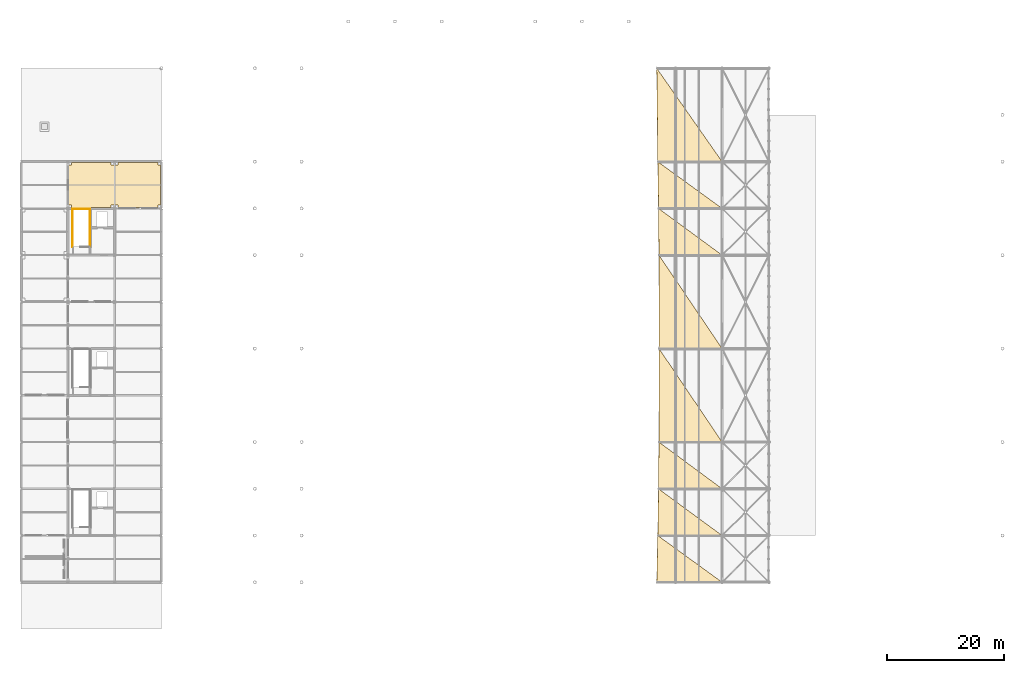
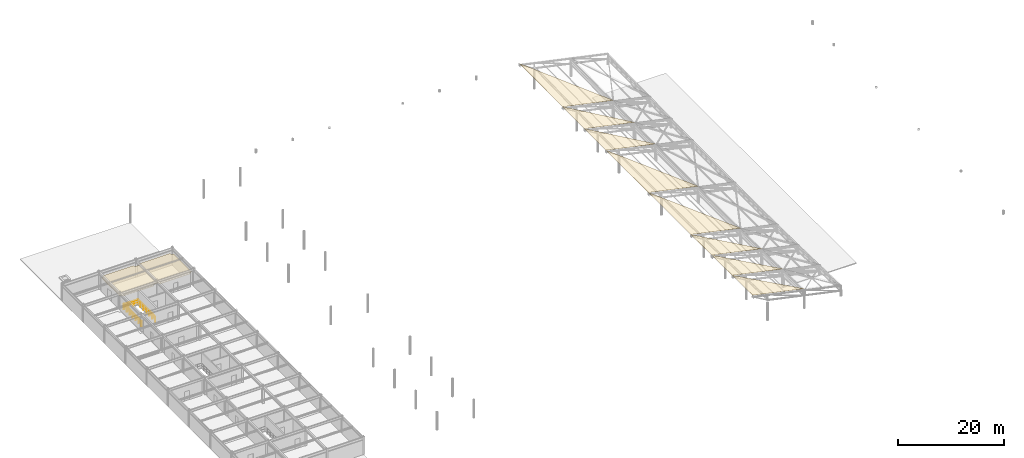
# One storey, part 41 of 41: 9 coverings, 3 railings, 1 element without a shape of its own.
"""IFC4 building model written with IfcOpenShell, lengths in metres."""

from ifc_helpers import new_model, si_unit, direction, frame, origin, origin_2d, place, context, subcontext, project, spatial, polyline, circle, outline, extrude, material, layer, layer_set, type_object, element, aggregate, save


model = new_model("IFC4")

# Units and contexts
model_context = context("Model", 3, precision=1e-05, world=origin(), true_north=direction((0.0, 1.0)))
body_context = subcontext(model_context, "Body", "Model", "MODEL_VIEW")
ifc_project = project(units=[si_unit("LENGTHUNIT", "METRE"), si_unit("AREAUNIT", "SQUARE_METRE"), si_unit("VOLUMEUNIT", "CUBIC_METRE"), si_unit("PLANEANGLEUNIT", "RADIAN"), si_unit("MASSUNIT", "GRAM", prefix="KILO")], contexts=[model_context])

# Site, building, storey
site_placement = place(None, origin())
site = spatial("IfcSite", under=ifc_project, at=site_placement, CompositionType="ELEMENT")
building_placement = place(site_placement, origin())
building = spatial("IfcBuilding", under=site, at=building_placement, Name="Haebicheon Civic Stadium", CompositionType="ELEMENT")
storey_placement = place(building_placement, frame((0.0, 0.0, 27.0)))
storey = spatial("IfcBuildingStorey", under=building, at=storey_placement, Name="L07", CompositionType="ELEMENT", Elevation=27.0)

# Roof, coverings
ifc_material_1 = material(Name="White painted steel SM490", Category="steel")
roof_type = type_object("IfcRoofType", Name="ROOF-WING-CANOPY", PredefinedType="FREEFORM", material=ifc_material_1)
roof_placement = place(storey_placement, origin())
roof = element("IfcRoof", 1, at=roof_placement, inside=storey, type_object=roof_type, material=ifc_material_1, Name="East Stand Curled Wing Canopy", PredefinedType="FREEFORM")
ifc_material_2 = material(Name="White fluoropolymer coated steel SM490", Category="steel")
ifc_layer_1 = layer(ifc_material_2, 0.02001953125, Name="White fluoropolymer coated steel SM490")
ifc_layer_set_1 = layer_set([ifc_layer_1], Name="White fluoropolymer coated steel SM490")
covering_type_1 = type_object("IfcCoveringType", Name="COV-CAN-MEM", PredefinedType="ROOFING", material=ifc_layer_set_1)
covering_1_placement = place(storey_placement, frame((144.0, 48.0, 4.47998046875), z_axis=(0.21006294818, 0.035328794769, 0.977049350884), x_axis=(-0.977659661495, 0.0, 0.210194163299)))
covering_1 = element("IfcCovering", 2, at=covering_1_placement, type_object=covering_type_1, material=ifc_layer_set_1, Name="CAN-EAST canopy coated steel membrane 1", PredefinedType="ROOFING", context=body_context, shape_type="SweptSolid", body=[
    extrude(outline(polyline([(0.0, 0.0), (11.455879395437805, 0.0), (11.21602784222757, -8.00499717326408), (0.0, 0.0)])), origin(), (0.0, 0.0, -1.0), 0.02001953125),
])
covering_2_placement = place(storey_placement, frame((144.0, 56.0, 4.19091796875), z_axis=(0.210109884282, 0.025201287187, 0.977352920726), x_axis=(-0.97766342944, 0.0, 0.210176636986)))
covering_2 = element("IfcCovering", 3, at=covering_2_placement, type_object=covering_type_1, material=ifc_layer_set_1, Name="CAN-EAST canopy coated steel membrane 2", PredefinedType="ROOFING", context=body_context, shape_type="SweptSolid", body=[
    extrude(outline(polyline([(0.0, 0.0), (11.27678709436811, -6.938893903907228e-18), (11.105575579672056, -8.002541630218913), (0.0, 0.0)])), origin(), (0.0, 0.0, -1.0), 0.02001953125),
])
covering_3_placement = place(storey_placement, frame((144.0, 64.0, 3.985107421875), z_axis=(0.210112179701, 0.015125659087, 0.977560272504), x_axis=(-0.977672117534, 0.0, 0.210136219143)))
covering_3 = element("IfcCovering", 4, at=covering_3_placement, type_object=covering_type_1, material=ifc_layer_set_1, Name="CAN-EAST canopy coated steel membrane 3", PredefinedType="ROOFING", context=body_context, shape_type="SweptSolid", body=[
    extrude(outline(polyline([(0.0, 0.0), (11.14883215779762, 6.938893903907228e-18), (11.04615798942554, -8.00091529930976), (0.0, 0.0)])), origin(), (0.0, 0.0, -1.0), 0.02001953125),
])
covering_4_placement = place(storey_placement, frame((144.0, 72.0, 3.861083984375), z_axis=(0.210156336845, 0.002477493418, 0.97766465422), x_axis=(-0.977667654673, 0.0, 0.210156981815)))
covering_4 = element("IfcCovering", 5, at=covering_4_placement, type_object=covering_type_1, material=ifc_layer_set_1, Name="CAN-EAST canopy coated steel membrane 4", PredefinedType="ROOFING", context=body_context, shape_type="SweptSolid", body=[
    extrude(outline(polyline([(0.0, 0.0), (11.07221980816373, 0.0), (11.03822771505878, -16.000049104015137), (0.0, 0.0)])), origin(), (0.0, 0.0, -1.0), 0.02001953125),
])
covering_5_placement = place(storey_placement, frame((144.0, 88.0, 3.820068359375), z_axis=(0.210197015055, -0.002477405021, 0.977655909472), x_axis=(-0.977658909685, 0.0, 0.210197660104)))
covering_5 = element("IfcCovering", 6, at=covering_5_placement, type_object=covering_type_1, material=ifc_layer_set_1, Name="CAN-EAST canopy coated steel membrane 5", PredefinedType="ROOFING", context=body_context, shape_type="SweptSolid", body=[
    extrude(outline(polyline([(0.0, 0.0), (11.046847444578171, 0.0), (11.080841186982326, -16.000049100511117), (0.0, 0.0)])), origin(), (0.0, 0.0, -1.0), 0.02001953125),
])
covering_6_placement = place(storey_placement, frame((144.0, 104.0, 3.861083984375), z_axis=(0.210132940864, -0.015125386617, 0.977555814183), x_axis=(-0.977667654673, 0.0, 0.210156981815)))
covering_6 = element("IfcCovering", 7, at=covering_6_placement, type_object=covering_type_1, material=ifc_layer_set_1, Name="CAN-EAST canopy coated steel membrane 6", PredefinedType="ROOFING", context=body_context, shape_type="SweptSolid", body=[
    extrude(outline(polyline([(0.0, 0.0), (11.07221980816373, 0.0), (11.174896546582836, -8.000915266328443), (0.0, 0.0)])), origin(), (0.0, 0.0, -1.0), 0.02001953125),
])
covering_7_placement = place(storey_placement, frame((144.0, 112.0, 3.985107421875), z_axis=(0.210069474594, -0.025202171081, 0.977361584275), x_axis=(-0.977672117534, 0.0, 0.210136219143)))
covering_7 = element("IfcCovering", 8, at=covering_7_placement, type_object=covering_type_1, material=ifc_layer_set_1, Name="CAN-EAST canopy coated steel membrane 7", PredefinedType="ROOFING", context=body_context, shape_type="SweptSolid", body=[
    extrude(outline(polyline([(0.0, 0.0), (11.14883215779762, -1.3877787807814457e-17), (11.32003533491169, -8.002541808594149), (0.0, 0.0)])), origin(), (0.0, 0.0, -1.0), 0.02001953125),
])
covering_8_placement = place(storey_placement, frame((144.0, 120.0, 4.19091796875), z_axis=(0.210143811895, -0.017672939558, 0.977510739342), x_axis=(-0.97766342944, 0.0, 0.210176636986)))
covering_8 = element("IfcCovering", 9, at=covering_8_placement, type_object=covering_type_1, material=ifc_layer_set_1, Name="CAN-EAST canopy coated steel membrane 8", PredefinedType="ROOFING", context=body_context, shape_type="SweptSolid", body=[
    extrude(outline(polyline([(0.0, 0.0), (11.27678709436811, 0.0), (11.516633577725754, -16.002499247803897), (0.0, 0.0)])), origin(), (0.0, 0.0, -1.0), 0.02001953125),
])
aggregate(roof, [covering_1, covering_2, covering_3, covering_4, covering_5, covering_6, covering_7, covering_8])

# Covering
ifc_material_3 = material(Name="Perforated mineral-fibre acoustic board", Category="gypsum")
ifc_layer_2 = layer(ifc_material_3, 0.0400390625, Name="Perforated mineral-fibre acoustic board")
ifc_layer_set_2 = layer_set([ifc_layer_2], Name="Perforated mineral-fibre acoustic board")
covering_type_2 = type_object("IfcCoveringType", Name="COV-CLG-AC", PredefinedType="CEILING", material=ifc_layer_set_2)
covering_9_placement = place(storey_placement, frame((0.0, 0.0, 2.81005859375)))
element("IfcCovering", 10, at=covering_9_placement, inside=storey, type_object=covering_type_2, material=ifc_layer_set_2, Name="L07 Radio Commentary Booth acoustic ceiling", PredefinedType="CEILING", context=body_context, shape_type="SweptSolid", body=[
    extrude(outline(polyline([(32.14501953125, 119.405029296875), (32.594970703125, 119.405029296875), (32.594970703125, 119.85498046875), (39.405029296875, 119.85498046875), (39.405029296875, 119.405029296875), (40.594970703125, 119.405029296875), (40.594970703125, 119.85498046875), (47.405029296875, 119.85498046875), (47.405029296875, 119.405029296875), (47.85498046875, 119.405029296875), (47.85498046875, 112.594970703125), (47.405029296875, 112.594970703125), (47.405029296875, 112.14501953125), (40.594970703125, 112.14501953125), (40.594970703125, 112.594970703125), (39.405029296875, 112.594970703125), (39.405029296875, 112.14501953125), (32.594970703125, 112.14501953125), (32.594970703125, 112.594970703125), (32.14501953125, 112.594970703125), (32.14501953125, 119.405029296875)])), origin(), (0.0, 0.0, 1.0), 0.0400390625),
])

# Railings
ifc_material_4 = material(Name="Galvanised painted steel SM355", Category="steel")
railing_type = type_object("IfcRailingType", Name="RL-GRD-1150", PredefinedType="GUARDRAIL", material=ifc_material_4)
for number, where, name in (
    (11, (35.7900390625, 105.35009765625, 0.0), "L07 ST-04 top well guard 2"),
    (12, (32.7900390625, 105.35009765625, 0.0), "L07 ST-04 top well guard 3"),
):
    element("IfcRailing", number, at=place(storey_placement, frame(where)), inside=storey, type_object=railing_type, material=ifc_material_4, Name=name, PredefinedType="GUARDRAIL", context=body_context, shape_type="SweptSolid", body=[
        extrude(circle(Radius=0.02392578125, at=origin_2d()), frame((0.0, 0.0, 1.1259765625), z_axis=(0.0, 1.0, 0.0), x_axis=(-1.0, 0.0, 0.0)), (0.0, 0.0, 1.0), 6.58984375),
        extrude(circle(Radius=0.02392578125, at=origin_2d()), frame((0.0, 0.0, 0.574951171875), z_axis=(0.0, 1.0, 0.0), x_axis=(-1.0, 0.0, 0.0)), (0.0, 0.0, 1.0), 6.58984375),
        extrude(circle(Radius=0.02099609375, at=origin_2d()), origin(), (0.0, 0.0, 1.0), 1.101806640625),
        extrude(circle(Radius=0.02099609375, at=origin_2d()), frame((0.0, 1.098388671875, 0.0)), (0.0, 0.0, 1.0), 1.101806640625),
        extrude(circle(Radius=0.02099609375, at=origin_2d()), frame((0.0, 2.196533203125, 0.0)), (0.0, 0.0, 1.0), 1.101806640625),
        extrude(circle(Radius=0.02099609375, at=origin_2d()), frame((0.0, 3.294921875, 0.0)), (0.0, 0.0, 1.0), 1.101806640625),
        extrude(circle(Radius=0.02099609375, at=origin_2d()), frame((0.0, 4.393310546875, 0.0)), (0.0, 0.0, 1.0), 1.101806640625),
        extrude(circle(Radius=0.02099609375, at=origin_2d()), frame((0.0, 5.491455078125, 0.0)), (0.0, 0.0, 1.0), 1.101806640625),
        extrude(circle(Radius=0.02099609375, at=origin_2d()), frame((0.0, 6.58984375, 0.0)), (0.0, 0.0, 1.0), 1.101806640625),
    ])
railing_placement = place(storey_placement, frame((35.840087890625, 111.889892578125, 0.0)))
element("IfcRailing", 13, at=railing_placement, inside=storey, type_object=railing_type, material=ifc_material_4, Name="L07 ST-04 top well guard 4", PredefinedType="GUARDRAIL", context=body_context, shape_type="SweptSolid", body=[
    extrude(circle(Radius=0.02392578125, at=origin_2d()), frame((0.0, 0.0, 1.1259765625), z_axis=(-1.0, 0.0, 0.0), x_axis=(0.0, -1.0, 0.0)), (0.0, 0.0, 1.0), 3.10009765625),
    extrude(circle(Radius=0.02392578125, at=origin_2d()), frame((0.0, 0.0, 0.574951171875), z_axis=(-1.0, 0.0, 0.0), x_axis=(0.0, -1.0, 0.0)), (0.0, 0.0, 1.0), 3.10009765625),
    extrude(circle(Radius=0.02099609375, at=origin_2d()), origin(), (0.0, 0.0, 1.0), 1.101806640625),
    extrude(circle(Radius=0.02099609375, at=origin_2d()), frame((-1.033447265625, 0.0, 0.0)), (0.0, 0.0, 1.0), 1.101806640625),
    extrude(circle(Radius=0.02099609375, at=origin_2d()), frame((-2.066650390625, 0.0, 0.0)), (0.0, 0.0, 1.0), 1.101806640625),
    extrude(circle(Radius=0.02099609375, at=origin_2d()), frame((-3.10009765625, 0.0, 0.0)), (0.0, 0.0, 1.0), 1.101806640625),
])

save(model, "model.ifc")
